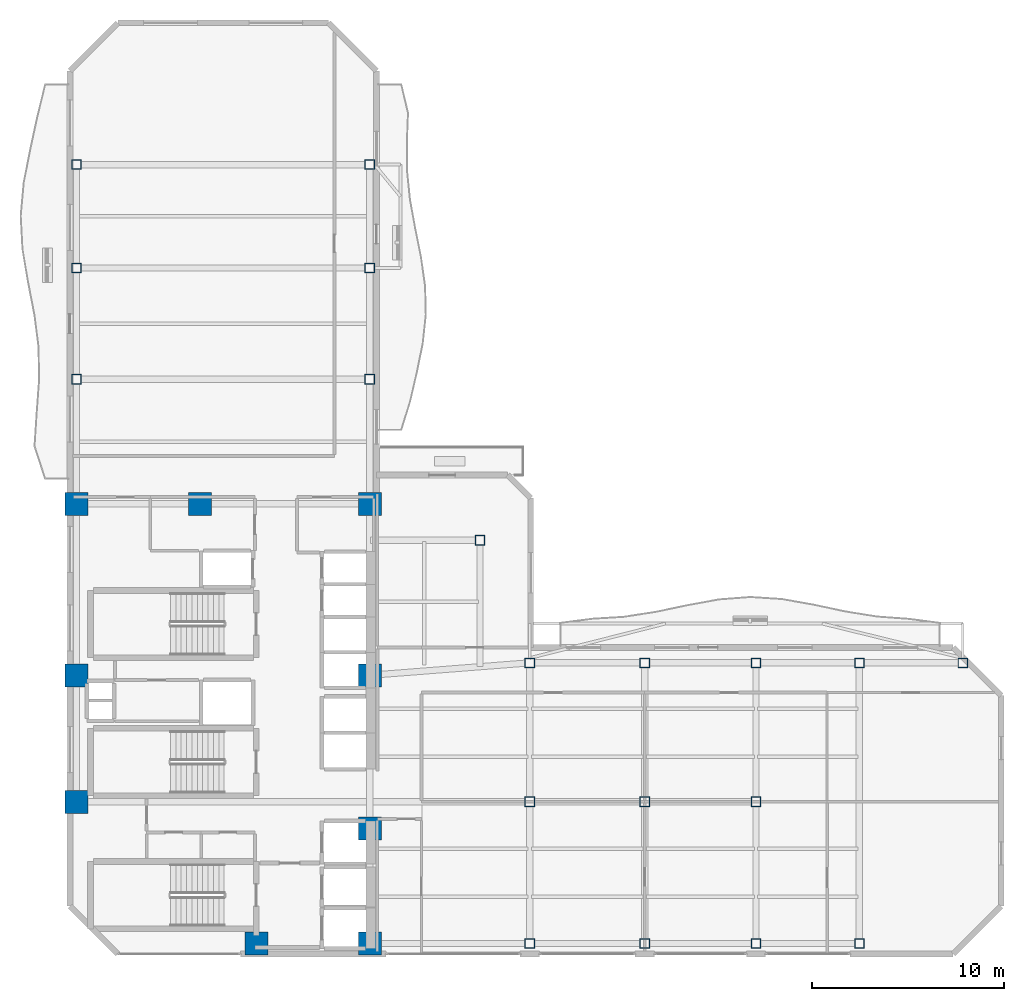
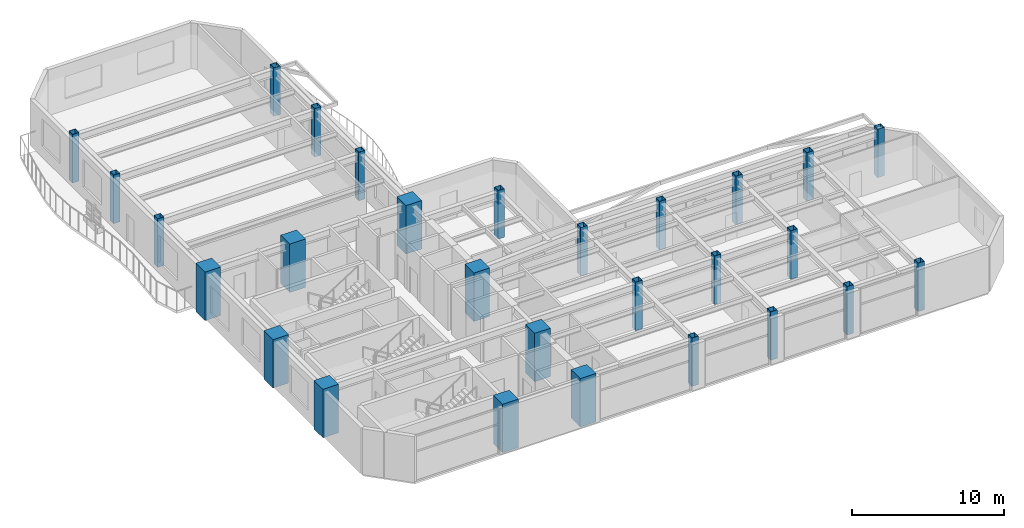
# One storey, part 1 of 15: 28 columns.
"""IFC4 building model written with IfcOpenShell, lengths in metres."""

from ifc_helpers import new_model, si_unit, direction, frame, origin, origin_2d, place, context, subcontext, project, spatial, rectangle, hollow_rectangle, extrude, material, material_profile, profile_set, type_object, element, save


model = new_model("IFC4")

# Units and contexts
model_context = context("Model", 3, precision=1e-05, world=origin(), true_north=direction((0.0, 1.0)))
body_context = subcontext(model_context, "Body", "Model", "MODEL_VIEW")
ifc_project = project(units=[si_unit("LENGTHUNIT", "METRE"), si_unit("AREAUNIT", "SQUARE_METRE"), si_unit("VOLUMEUNIT", "CUBIC_METRE"), si_unit("PLANEANGLEUNIT", "RADIAN"), si_unit("MASSUNIT", "GRAM", prefix="KILO")], contexts=[model_context])

# Site, building, storey
site_placement = place(None, origin())
site = spatial("IfcSite", under=ifc_project, at=site_placement, CompositionType="ELEMENT")
building_placement = place(site_placement, origin())
building = spatial("IfcBuilding", under=site, at=building_placement, Name="Mawjaban Terraces University", CompositionType="ELEMENT")
storey_placement = place(building_placement, frame((0.0, 0.0, 142.39990234375)))
storey = spatial("IfcBuildingStorey", under=building, at=storey_placement, Name="L34", CompositionType="ELEMENT", Elevation=142.39990234375)

# Columns
ifc_material_1 = material(Name="Concrete C60/75", Category="concrete")
ifc_material_profile_1 = material_profile(ifc_material_1, rectangle(XDim=1.199951171875, YDim=1.199951171875, at=origin_2d()), Name="RC1200X1200")
ifc_profile_set_1 = profile_set([ifc_material_profile_1], Name="Concrete C60/75")
column_type_1 = type_object("IfcColumnType", Name="Col_RC1200X1200", PredefinedType="COLUMN", material=ifc_profile_set_1)
for number, where, z_axis, x_axis, name in (
    (1, (31.75, 0.550048828125, 0.0), (0.0, 0.0, 1.0), (1.0, 0.0, 0.0), "L34 Column CC2"),
    (2, (37.64990234375, 0.550048828125, 0.0), (0.0, 0.0, 1.0), (1.0, 0.0, 0.0), "L34 Column CC3"),
    (3, (22.35009765625, 7.949951171875, 0.0), (0.0, 0.0, 1.0), (1.0, 0.0, 0.0), "L34 Column CC4"),
    (4, (37.64990234375, 6.550048828125, 0.0), (0.0, 0.0, 1.0), (1.0, 0.0, 0.0), "L34 Column CC5"),
    (5, (22.35009765625, 14.550048828125, 0.0), (0.0, 0.0, 1.0), (1.0, 0.0, 0.0), "L34 Column CC6"),
    (6, (37.64990234375, 14.550048828125, 0.0), (0.0, 0.0, 1.0), (1.0, 0.0, 0.0), "L34 Column CC7"),
    (7, (22.35009765625, 23.5, 0.0), (0.0, 0.0, 1.0), (1.0, 0.0, 0.0), "L34 Column CC8"),
    (8, (28.800048828125, 23.5, 0.0), (0.0, 0.0, 1.0), (1.0, 0.0, 0.0), "L34 Column CC9"),
    (9, (37.64990234375, 23.5, 0.0), (0.0, 0.0, 1.0), (1.0, 0.0, 0.0), "L34 Column CC10"),
):
    element("IfcColumn", number, at=place(storey_placement, frame(where, z_axis=z_axis, x_axis=x_axis)), inside=storey, type_object=column_type_1, Name=name, PredefinedType="COLUMN", context=body_context, shape_type="SweptSolid", body=[
        extrude(rectangle(XDim=1.199951171875, YDim=1.199951171875, at=origin_2d()), origin(), (0.0, 0.0, 1.0), 3.900146484375),
    ])
ifc_material_2 = material(Name="Steel EN 10210-1 S355J2H", Category="steel")
ifc_material_profile_2 = material_profile(ifc_material_2, hollow_rectangle(XDim=0.5, YDim=0.5, WallThickness=0.02490234375, at=origin_2d()), Name="SHS500X500X25")
ifc_profile_set_2 = profile_set([ifc_material_profile_2], Name="Steel EN 10210-1 S355J2H")
column_type_2 = type_object("IfcColumnType", Name="Col_SHS500X500X25", PredefinedType="COLUMN", material=ifc_profile_set_2)
for number, where, z_axis, x_axis, name in (
    (10, (46.0, 0.550048828125, 0.0), (0.0, 0.0, 1.0), (1.0, 0.0, 0.0), "L34 Column TE-460-005"),
    (11, (46.0, 7.949951171875, 0.0), (0.0, 0.0, 1.0), (1.0, 0.0, 0.0), "L34 Column TE-460-080"),
    (12, (46.0, 15.199951171875, 0.0), (0.0, 0.0, 1.0), (1.0, 0.0, 0.0), "L34 Column TE-460-152"),
    (13, (52.0, 0.550048828125, 0.0), (0.0, 0.0, 1.0), (1.0, 0.0, 0.0), "L34 Column TE-520-005"),
    (14, (52.0, 7.949951171875, 0.0), (0.0, 0.0, 1.0), (1.0, 0.0, 0.0), "L34 Column TE-520-080"),
    (15, (52.0, 15.199951171875, 0.0), (0.0, 0.0, 1.0), (1.0, 0.0, 0.0), "L34 Column TE-520-152"),
    (16, (57.800048828125, 0.550048828125, 0.0), (0.0, 0.0, 1.0), (1.0, 0.0, 0.0), "L34 Column TE-578-005"),
    (17, (57.800048828125, 7.949951171875, 0.0), (0.0, 0.0, 1.0), (1.0, 0.0, 0.0), "L34 Column TE-578-080"),
    (18, (57.800048828125, 15.199951171875, 0.0), (0.0, 0.0, 1.0), (1.0, 0.0, 0.0), "L34 Column TE-578-152"),
    (19, (63.199951171875, 0.550048828125, 0.0), (0.0, 0.0, 1.0), (1.0, 0.0, 0.0), "L34 Column TE-632-005"),
    (20, (63.199951171875, 15.199951171875, 0.0), (0.0, 0.0, 1.0), (1.0, 0.0, 0.0), "L34 Column TE-632-152"),
    (21, (68.60009765625, 15.199951171875, 0.0), (0.0, 0.0, 1.0), (1.0, 0.0, 0.0), "L34 Column TE-686-152"),
    (22, (22.35009765625, 30.0, 0.0), (0.0, 0.0, 1.0), (1.0, 0.0, 0.0), "L34 Column TN-223-300"),
    (23, (37.64990234375, 30.0, 0.0), (0.0, 0.0, 1.0), (1.0, 0.0, 0.0), "L34 Column TN-376-300"),
    (24, (22.35009765625, 35.800048828125, 0.0), (0.0, 0.0, 1.0), (1.0, 0.0, 0.0), "L34 Column TN-223-358"),
    (25, (37.64990234375, 35.800048828125, 0.0), (0.0, 0.0, 1.0), (1.0, 0.0, 0.0), "L34 Column TN-376-358"),
    (26, (22.35009765625, 41.199951171875, 0.0), (0.0, 0.0, 1.0), (1.0, 0.0, 0.0), "L34 Column TN-223-412"),
    (27, (37.64990234375, 41.199951171875, 0.0), (0.0, 0.0, 1.0), (1.0, 0.0, 0.0), "L34 Column TN-376-412"),
    (28, (43.39990234375, 21.60009765625, 0.0), (0.0, 0.0, 1.0), (1.0, 0.0, 0.0), "L34 Column TS-434-216"),
):
    element("IfcColumn", number, at=place(storey_placement, frame(where, z_axis=z_axis, x_axis=x_axis)), inside=storey, type_object=column_type_2, Name=name, PredefinedType="COLUMN", context=body_context, shape_type="SweptSolid", body=[
        extrude(hollow_rectangle(XDim=0.5, YDim=0.5, WallThickness=0.02490234375, at=origin_2d()), origin(), (0.0, 0.0, 1.0), 3.900146484375),
    ])

save(model, "model.ifc")
